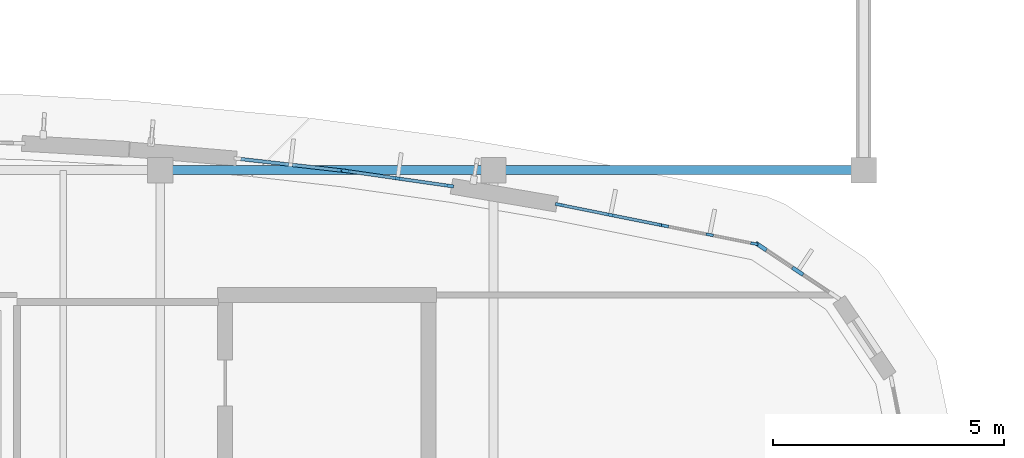
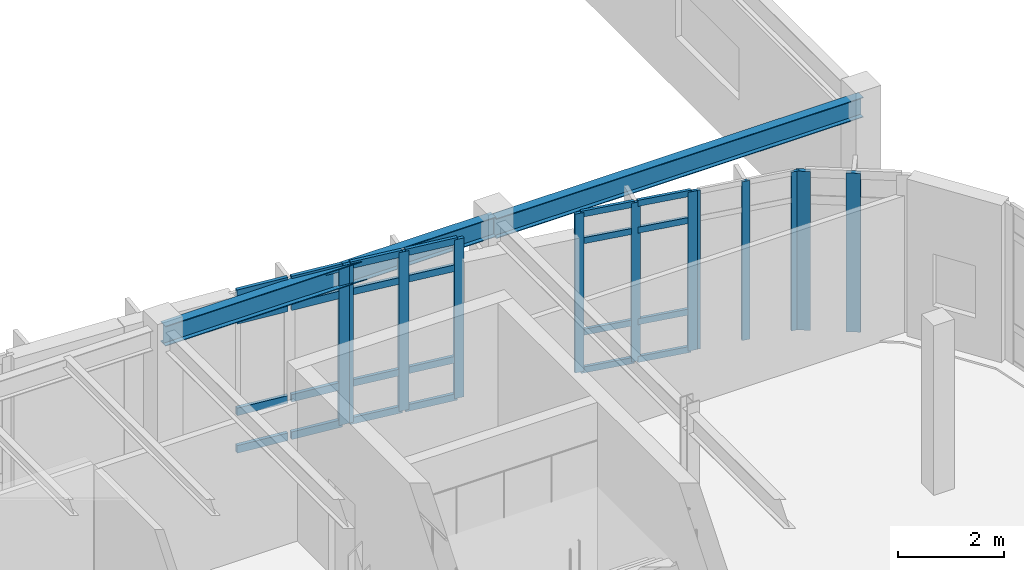
# One storey, part 41 of 111: 36 members, 2 beams, 5 elements without a shape of their own.
"""IFC4 building model written with IfcOpenShell, lengths in metres."""

from ifc_helpers import new_model, si_unit, direction, frame, origin, origin_2d, place, context, subcontext, project, spatial, rectangle, i_section, extrude, material, material_profile, profile_set, type_object, element, aggregate, save


model = new_model("IFC4")

# Units and contexts
model_context = context("Model", 3, precision=1e-05, world=origin(), true_north=direction((0.0, 1.0)))
body_context = subcontext(model_context, "Body", "Model", "MODEL_VIEW")
ifc_project = project(units=[si_unit("LENGTHUNIT", "METRE"), si_unit("AREAUNIT", "SQUARE_METRE"), si_unit("VOLUMEUNIT", "CUBIC_METRE"), si_unit("PLANEANGLEUNIT", "RADIAN"), si_unit("MASSUNIT", "GRAM", prefix="KILO")], contexts=[model_context])

# Site, building, storey
site_placement = place(None, origin())
site = spatial("IfcSite", under=ifc_project, at=site_placement, CompositionType="ELEMENT")
building_placement = place(site_placement, origin())
building = spatial("IfcBuilding", under=site, at=building_placement, Name="Corveleigh Park Community Centre", CompositionType="ELEMENT")
storey_placement = place(building_placement, frame((0.0, 0.0, 4.800048828125)))
storey = spatial("IfcBuildingStorey", under=building, at=storey_placement, Name="L01", CompositionType="ELEMENT", Elevation=4.800048828125)

# Beams
ifc_material_1 = material(Name="Steel S355", Category="steel")
ifc_material_profile_1 = material_profile(ifc_material_1, i_section(OverallWidth=0.19140625, OverallDepth=0.4599609375, WebThickness=0.010009765625, FlangeThickness=0.01611328125, at=origin_2d()), Name="UKB 457x191x82", Category="steel")
ifc_profile_set_1 = profile_set([ifc_material_profile_1], Name="Steel S355")
beam_type = type_object("IfcBeamType", Name="BM-STL-UKB457x82", PredefinedType="BEAM", material=ifc_profile_set_1)
beam_1_placement = place(storey_placement, frame((39.205078125, 92.800048828125, 3.427001953125), z_axis=(1.0, 0.0, 0.0), x_axis=(0.0, 1.0, 0.0)))
element("IfcBeam", 1, at=beam_1_placement, inside=storey, type_object=beam_type, Name="V2 Studio Girder X", PredefinedType="BEAM", context=body_context, shape_type="SweptSolid", body=[
    extrude(i_section(OverallWidth=0.19140625, OverallDepth=0.4599609375, WebThickness=0.010009765625, FlangeThickness=0.01611328125, at=origin_2d()), origin(), (0.0, 0.0, 1.0), 7.18994140625),
])
beam_2_placement = place(storey_placement, frame((46.405029296875, 92.800048828125, 3.3818359375), z_axis=(1.0, 0.0, 0.0), x_axis=(0.0, 1.0, 0.0)))
element("IfcBeam", 2, at=beam_2_placement, inside=storey, type_object=beam_type, Name="V2 Studio Girder X", PredefinedType="BEAM", context=body_context, shape_type="SweptSolid", body=[
    extrude(i_section(OverallWidth=0.19140625, OverallDepth=0.4599609375, WebThickness=0.010009765625, FlangeThickness=0.01611328125, at=origin_2d()), origin(), (0.0, 0.0, 1.0), 7.989990234375),
])

# Curtain wall, members
ifc_material_2 = material(Name="Anodised aluminium 6063-T6", Category="aluminium")
curtain_wall_type = type_object("IfcCurtainWallType", Name="CW-SYS-V2-HALL", PredefinedType="NOTDEFINED", material=ifc_material_2)
curtain_wall_1_placement = place(storey_placement, origin())
curtain_wall_1 = element("IfcCurtainWall", 3, at=curtain_wall_1_placement, inside=storey, type_object=curtain_wall_type, Name="V2 L01 Curtain Wall 211", PredefinedType="NOTDEFINED")
ifc_material_profile_2 = material_profile(ifc_material_2, rectangle(XDim=0.06005859375, YDim=0.159912109375, at=origin_2d()), Name="ALU-M60x160", Category="aluminium")
ifc_profile_set_2 = profile_set([ifc_material_profile_2], Name="Anodised aluminium 6063-T6")
member_type_1 = type_object("IfcMemberType", Name="CWM-60x160", PredefinedType="MULLION", material=ifc_profile_set_2)
member_1_placement = place(storey_placement, frame((50.107421875, 91.59326171875, 0.0), z_axis=(0.0, 0.0, 1.0), x_axis=(0.195262640231, 0.980750988442, 0.0)))
member_1 = element("IfcMember", 4, at=member_1_placement, type_object=member_type_1, Name="CW04 mullion 1", PredefinedType="MULLION", context=body_context, shape_type="SweptSolid", body=[
    extrude(rectangle(XDim=0.06005859375, YDim=0.159912109375, at=origin_2d()), origin(), (0.0, 0.0, 1.0), 3.656982421875),
])
member_2_placement = place(storey_placement, frame((51.072509765625, 91.40087890625, 0.0), z_axis=(0.0, 0.0, 1.0), x_axis=(0.195262640231, 0.980750988442, 0.0)))
member_2 = element("IfcMember", 5, at=member_2_placement, type_object=member_type_1, Name="CW04 mullion 2", PredefinedType="MULLION", context=body_context, shape_type="SweptSolid", body=[
    extrude(rectangle(XDim=0.06005859375, YDim=0.159912109375, at=origin_2d()), origin(), (0.0, 0.0, 1.0), 3.656982421875),
])
member_3_placement = place(storey_placement, frame((52.03759765625, 91.208740234375, 0.0), z_axis=(0.0, 0.0, 1.0), x_axis=(0.195262640231, 0.980750988442, 0.0)))
member_3 = element("IfcMember", 6, at=member_3_placement, type_object=member_type_1, Name="CW04 mullion 3", PredefinedType="MULLION", context=body_context, shape_type="SweptSolid", body=[
    extrude(rectangle(XDim=0.06005859375, YDim=0.159912109375, at=origin_2d()), origin(), (0.0, 0.0, 1.0), 3.656982421875),
])
aggregate(curtain_wall_1, [member_1, member_2, member_3])

curtain_wall_2_placement = place(storey_placement, origin())
curtain_wall_2 = element("IfcCurtainWall", 7, at=curtain_wall_2_placement, inside=storey, type_object=curtain_wall_type, Name="V2 L01 Curtain Wall 212", PredefinedType="NOTDEFINED")
ifc_material_profile_3 = material_profile(ifc_material_2, rectangle(XDim=0.06494140625, YDim=0.179931640625, at=origin_2d()), Name="ALU-M65x180", Category="aluminium")
ifc_profile_set_3 = profile_set([ifc_material_profile_3], Name="Anodised aluminium 6063-T6")
member_type_2 = type_object("IfcMemberType", Name="CWM-65x180", PredefinedType="MULLION", material=ifc_profile_set_3)
member_4_placement = place(storey_placement, frame((47.824951171875, 92.051513671875, 0.0), z_axis=(0.0, 0.0, 1.0), x_axis=(0.197111378544, 0.980381101638, 0.0)))
member_4 = element("IfcMember", 8, at=member_4_placement, type_object=member_type_2, Name="CW04 mullion 1", PredefinedType="MULLION", context=body_context, shape_type="SweptSolid", body=[
    extrude(rectangle(XDim=0.06494140625, YDim=0.179931640625, at=origin_2d()), origin(), (0.0, 0.0, 1.0), 3.656982421875),
])
member_5_placement = place(storey_placement, frame((48.929443359375, 91.82958984375, 0.0), z_axis=(0.0, 0.0, 1.0), x_axis=(0.197111378544, 0.980381101638, 0.0)))
member_5 = element("IfcMember", 9, at=member_5_placement, type_object=member_type_2, Name="CW04 mullion 2", PredefinedType="MULLION", context=body_context, shape_type="SweptSolid", body=[
    extrude(rectangle(XDim=0.06494140625, YDim=0.179931640625, at=origin_2d()), origin(), (0.0, 0.0, 1.0), 3.656982421875),
])
member_6_placement = place(storey_placement, frame((50.0341796875, 91.607421875, 0.0), z_axis=(0.0, 0.0, 1.0), x_axis=(0.197111378544, 0.980381101638, 0.0)))
member_6 = element("IfcMember", 10, at=member_6_placement, type_object=member_type_2, Name="CW04 mullion 3", PredefinedType="MULLION", context=body_context, shape_type="SweptSolid", body=[
    extrude(rectangle(XDim=0.06494140625, YDim=0.179931640625, at=origin_2d()), origin(), (0.0, 0.0, 1.0), 3.656982421875),
])

curtain_wall_3_placement = place(storey_placement, origin())
curtain_wall_3 = element("IfcCurtainWall", 11, at=curtain_wall_3_placement, inside=storey, type_object=curtain_wall_type, Name="V2 L01 Curtain Wall 213", PredefinedType="NOTDEFINED")
ifc_material_profile_4 = material_profile(ifc_material_2, rectangle(XDim=0.070068359375, YDim=0.199951171875, at=origin_2d()), Name="ALU-M70x200", Category="aluminium")
ifc_profile_set_4 = profile_set([ifc_material_profile_4], Name="Anodised aluminium 6063-T6")
member_type_3 = type_object("IfcMemberType", Name="CWM-70x200", PredefinedType="MULLION", material=ifc_profile_set_4)
member_7_placement = place(storey_placement, frame((43.217529296875, 92.778076171875, 0.0), z_axis=(0.0, 0.0, 1.0), x_axis=(0.141663216042, 0.989914912111, 0.0)))
member_7 = element("IfcMember", 12, at=member_7_placement, type_object=member_type_3, Name="CW04 mullion 1", PredefinedType="MULLION", context=body_context, shape_type="SweptSolid", body=[
    extrude(rectangle(XDim=0.070068359375, YDim=0.199951171875, at=origin_2d()), origin(), (0.0, 0.0, 1.0), 3.656982421875),
])
member_8_placement = place(storey_placement, frame((44.3291015625, 92.618896484375, 0.0), z_axis=(0.0, 0.0, 1.0), x_axis=(0.141663216042, 0.989914912111, 0.0)))
member_8 = element("IfcMember", 13, at=member_8_placement, type_object=member_type_3, Name="CW04 mullion 2", PredefinedType="MULLION", context=body_context, shape_type="SweptSolid", body=[
    extrude(rectangle(XDim=0.070068359375, YDim=0.199951171875, at=origin_2d()), origin(), (0.0, 0.0, 1.0), 3.656982421875),
])
member_9_placement = place(storey_placement, frame((45.4404296875, 92.4599609375, 0.0), z_axis=(0.0, 0.0, 1.0), x_axis=(0.141663216042, 0.989914912111, 0.0)))
member_9 = element("IfcMember", 14, at=member_9_placement, type_object=member_type_3, Name="CW04 mullion 3", PredefinedType="MULLION", context=body_context, shape_type="SweptSolid", body=[
    extrude(rectangle(XDim=0.070068359375, YDim=0.199951171875, at=origin_2d()), origin(), (0.0, 0.0, 1.0), 3.656982421875),
])

# Curtain wall, member
curtain_wall_4_placement = place(storey_placement, origin())
curtain_wall_4 = element("IfcCurtainWall", 15, at=curtain_wall_4_placement, inside=storey, type_object=curtain_wall_type, Name="V2 L01 Curtain Wall 214", PredefinedType="NOTDEFINED")
ifc_material_profile_5 = material_profile(ifc_material_2, rectangle(XDim=0.074951171875, YDim=0.219970703125, at=origin_2d()), Name="ALU-M75x220", Category="aluminium")
ifc_profile_set_5 = profile_set([ifc_material_profile_5], Name="Anodised aluminium 6063-T6")
member_type_4 = type_object("IfcMemberType", Name="CWM-75x220", PredefinedType="MULLION", material=ifc_profile_set_5)
member_10_placement = place(storey_placement, frame((43.127685546875, 92.789306640625, 0.0), z_axis=(0.0, 0.0, 1.0), x_axis=(0.113132523128, 0.99357990731, 0.0)))
member_10 = element("IfcMember", 16, at=member_10_placement, type_object=member_type_4, Name="CW04 mullion 3", PredefinedType="MULLION", context=body_context, shape_type="SweptSolid", body=[
    extrude(rectangle(XDim=0.074951171875, YDim=0.219970703125, at=origin_2d()), origin(), (0.0, 0.0, 1.0), 3.656982421875),
])

# Curtain wall, members
curtain_wall_5_placement = place(storey_placement, origin())
curtain_wall_5 = element("IfcCurtainWall", 17, at=curtain_wall_5_placement, inside=storey, type_object=curtain_wall_type, Name="V2 L01 Curtain Wall 210", PredefinedType="NOTDEFINED")
ifc_material_profile_6 = material_profile(ifc_material_2, rectangle(XDim=0.0849609375, YDim=0.27490234375, at=origin_2d()), Name="ALU-M85x275", Category="aluminium")
ifc_profile_set_6 = profile_set([ifc_material_profile_6], Name="Anodised aluminium 6063-T6")
member_type_5 = type_object("IfcMemberType", Name="CWM-85x275", PredefinedType="MULLION", material=ifc_profile_set_6)
member_11_placement = place(storey_placement, frame((52.183349609375, 91.1455078125, 0.0), z_axis=(0.0, 0.0, 1.0), x_axis=(0.555512027575, 0.831508500991, 0.0)))
member_11 = element("IfcMember", 18, at=member_11_placement, type_object=member_type_5, Name="CW04 mullion 1", PredefinedType="MULLION", context=body_context, shape_type="SweptSolid", body=[
    extrude(rectangle(XDim=0.0849609375, YDim=0.27490234375, at=origin_2d()), origin(), (0.0, 0.0, 1.0), 3.656982421875),
])
member_12_placement = place(storey_placement, frame((52.97509765625, 90.616455078125, 0.0), z_axis=(0.0, 0.0, 1.0), x_axis=(0.555512027575, 0.831508500991, 0.0)))
member_12 = element("IfcMember", 19, at=member_12_placement, type_object=member_type_5, Name="CW04 mullion 2", PredefinedType="MULLION", context=body_context, shape_type="SweptSolid", body=[
    extrude(rectangle(XDim=0.0849609375, YDim=0.27490234375, at=origin_2d()), origin(), (0.0, 0.0, 1.0), 3.656982421875),
])
aggregate(curtain_wall_5, [member_11, member_12])

# Member
ifc_material_profile_7 = material_profile(ifc_material_2, rectangle(XDim=0.06494140625, YDim=0.139892578125, at=origin_2d()), Name="ALU-T65x140", Category="aluminium")
ifc_profile_set_7 = profile_set([ifc_material_profile_7], Name="Anodised aluminium 6063-T6")
member_type_6 = type_object("IfcMemberType", Name="CWT-65x140", PredefinedType="USERDEFINED", material=ifc_profile_set_7)
member_13_placement = place(storey_placement, frame((47.856689453125, 92.045166015625, 0.032470703125), z_axis=(0.980394528483, -0.19704458511, 0.0), x_axis=(0.19704458511, 0.980394528483, 0.0)))
member_13 = element("IfcMember", 20, at=member_13_placement, type_object=member_type_6, Name="CW04 transom 1.1", ObjectType="TRANSOM", PredefinedType="USERDEFINED", context=body_context, shape_type="SweptSolid", body=[
    extrude(rectangle(XDim=0.06494140625, YDim=0.139892578125, at=origin_2d()), origin(), (0.0, 0.0, 1.0), 1.061767578125),
])

member_14_placement = place(storey_placement, frame((47.856689453125, 92.045166015625, 0.89990234375), z_axis=(0.980394528483, -0.19704458511, 0.0), x_axis=(0.19704458511, 0.980394528483, 0.0)))
member_14 = element("IfcMember", 21, at=member_14_placement, type_object=member_type_6, Name="CW04 transom 1.2", ObjectType="TRANSOM", PredefinedType="USERDEFINED", context=body_context, shape_type="SweptSolid", body=[
    extrude(rectangle(XDim=0.06494140625, YDim=0.139892578125, at=origin_2d()), origin(), (0.0, 0.0, 1.0), 1.061767578125),
])

member_15_placement = place(storey_placement, frame((47.856689453125, 92.045166015625, 3.0068359375), z_axis=(0.980394528483, -0.19704458511, 0.0), x_axis=(0.19704458511, 0.980394528483, 0.0)))
member_15 = element("IfcMember", 22, at=member_15_placement, type_object=member_type_6, Name="CW04 transom 1.3", ObjectType="TRANSOM", PredefinedType="USERDEFINED", context=body_context, shape_type="SweptSolid", body=[
    extrude(rectangle(XDim=0.06494140625, YDim=0.139892578125, at=origin_2d()), origin(), (0.0, 0.0, 1.0), 1.061767578125),
])

member_16_placement = place(storey_placement, frame((47.856689453125, 92.045166015625, 3.62451171875), z_axis=(0.980394528483, -0.19704458511, 0.0), x_axis=(0.19704458511, 0.980394528483, 0.0)))
member_16 = element("IfcMember", 23, at=member_16_placement, type_object=member_type_6, Name="CW04 transom 1.4", ObjectType="TRANSOM", PredefinedType="USERDEFINED", context=body_context, shape_type="SweptSolid", body=[
    extrude(rectangle(XDim=0.06494140625, YDim=0.139892578125, at=origin_2d()), origin(), (0.0, 0.0, 1.0), 1.061767578125),
])

member_17_placement = place(storey_placement, frame((48.96142578125, 91.822998046875, 0.032470703125), z_axis=(0.980385598316, -0.197089011906, 0.0), x_axis=(0.197089011906, 0.980385598316, 0.0)))
member_17 = element("IfcMember", 24, at=member_17_placement, type_object=member_type_6, Name="CW04 transom 2.1", ObjectType="TRANSOM", PredefinedType="USERDEFINED", context=body_context, shape_type="SweptSolid", body=[
    extrude(rectangle(XDim=0.06494140625, YDim=0.139892578125, at=origin_2d()), origin(), (0.0, 0.0, 1.0), 1.0615234375),
])

member_18_placement = place(storey_placement, frame((48.96142578125, 91.822998046875, 0.89990234375), z_axis=(0.980385598316, -0.197089011906, 0.0), x_axis=(0.197089011906, 0.980385598316, 0.0)))
member_18 = element("IfcMember", 25, at=member_18_placement, type_object=member_type_6, Name="CW04 transom 2.2", ObjectType="TRANSOM", PredefinedType="USERDEFINED", context=body_context, shape_type="SweptSolid", body=[
    extrude(rectangle(XDim=0.06494140625, YDim=0.139892578125, at=origin_2d()), origin(), (0.0, 0.0, 1.0), 1.0615234375),
])

member_19_placement = place(storey_placement, frame((48.96142578125, 91.822998046875, 3.0068359375), z_axis=(0.980385598316, -0.197089011906, 0.0), x_axis=(0.197089011906, 0.980385598316, 0.0)))
member_19 = element("IfcMember", 26, at=member_19_placement, type_object=member_type_6, Name="CW04 transom 2.3", ObjectType="TRANSOM", PredefinedType="USERDEFINED", context=body_context, shape_type="SweptSolid", body=[
    extrude(rectangle(XDim=0.06494140625, YDim=0.139892578125, at=origin_2d()), origin(), (0.0, 0.0, 1.0), 1.0615234375),
])

member_20_placement = place(storey_placement, frame((48.96142578125, 91.822998046875, 3.62451171875), z_axis=(0.980385598316, -0.197089011906, 0.0), x_axis=(0.197089011906, 0.980385598316, 0.0)))
member_20 = element("IfcMember", 27, at=member_20_placement, type_object=member_type_6, Name="CW04 transom 2.4", ObjectType="TRANSOM", PredefinedType="USERDEFINED", context=body_context, shape_type="SweptSolid", body=[
    extrude(rectangle(XDim=0.06494140625, YDim=0.139892578125, at=origin_2d()), origin(), (0.0, 0.0, 1.0), 1.0615234375),
])

aggregate(curtain_wall_2, [member_4, member_5, member_6, member_13, member_14, member_15, member_16, member_17, member_18, member_19, member_20])

ifc_material_profile_8 = material_profile(ifc_material_2, rectangle(XDim=0.070068359375, YDim=0.155029296875, at=origin_2d()), Name="ALU-T70x155", Category="aluminium")
ifc_profile_set_8 = profile_set([ifc_material_profile_8], Name="Anodised aluminium 6063-T6")
member_type_7 = type_object("IfcMemberType", Name="CWT-70x155", PredefinedType="USERDEFINED", material=ifc_profile_set_8)
member_21_placement = place(storey_placement, frame((43.252197265625, 92.773193359375, 0.034912109375), z_axis=(0.989912358171, -0.141681061336, 0.0), x_axis=(0.141681061336, 0.989912358171, 0.0)))
member_21 = element("IfcMember", 28, at=member_21_placement, type_object=member_type_7, Name="CW04 transom 1.1", ObjectType="TRANSOM", PredefinedType="USERDEFINED", context=body_context, shape_type="SweptSolid", body=[
    extrude(rectangle(XDim=0.070068359375, YDim=0.155029296875, at=origin_2d()), origin(), (0.0, 0.0, 1.0), 1.052978515625),
])

member_22_placement = place(storey_placement, frame((43.252197265625, 92.773193359375, 0.89990234375), z_axis=(0.989912358171, -0.141681061336, 0.0), x_axis=(0.141681061336, 0.989912358171, 0.0)))
member_22 = element("IfcMember", 29, at=member_22_placement, type_object=member_type_7, Name="CW04 transom 1.2", ObjectType="TRANSOM", PredefinedType="USERDEFINED", context=body_context, shape_type="SweptSolid", body=[
    extrude(rectangle(XDim=0.070068359375, YDim=0.155029296875, at=origin_2d()), origin(), (0.0, 0.0, 1.0), 1.052978515625),
])

member_23_placement = place(storey_placement, frame((43.252197265625, 92.773193359375, 3.0068359375), z_axis=(0.989912358171, -0.141681061336, 0.0), x_axis=(0.141681061336, 0.989912358171, 0.0)))
member_23 = element("IfcMember", 30, at=member_23_placement, type_object=member_type_7, Name="CW04 transom 1.3", ObjectType="TRANSOM", PredefinedType="USERDEFINED", context=body_context, shape_type="SweptSolid", body=[
    extrude(rectangle(XDim=0.070068359375, YDim=0.155029296875, at=origin_2d()), origin(), (0.0, 0.0, 1.0), 1.052978515625),
])

member_24_placement = place(storey_placement, frame((43.252197265625, 92.773193359375, 3.6220703125), z_axis=(0.989912358171, -0.141681061336, 0.0), x_axis=(0.141681061336, 0.989912358171, 0.0)))
member_24 = element("IfcMember", 31, at=member_24_placement, type_object=member_type_7, Name="CW04 transom 1.4", ObjectType="TRANSOM", PredefinedType="USERDEFINED", context=body_context, shape_type="SweptSolid", body=[
    extrude(rectangle(XDim=0.070068359375, YDim=0.155029296875, at=origin_2d()), origin(), (0.0, 0.0, 1.0), 1.052978515625),
])

member_25_placement = place(storey_placement, frame((44.363525390625, 92.614013671875, 0.034912109375), z_axis=(0.989912358171, -0.141681061336, 0.0), x_axis=(0.141681061336, 0.989912358171, 0.0)))
member_25 = element("IfcMember", 32, at=member_25_placement, type_object=member_type_7, Name="CW04 transom 2.1", ObjectType="TRANSOM", PredefinedType="USERDEFINED", context=body_context, shape_type="SweptSolid", body=[
    extrude(rectangle(XDim=0.070068359375, YDim=0.155029296875, at=origin_2d()), origin(), (0.0, 0.0, 1.0), 1.052978515625),
])

member_26_placement = place(storey_placement, frame((44.363525390625, 92.614013671875, 0.89990234375), z_axis=(0.989912358171, -0.141681061336, 0.0), x_axis=(0.141681061336, 0.989912358171, 0.0)))
member_26 = element("IfcMember", 33, at=member_26_placement, type_object=member_type_7, Name="CW04 transom 2.2", ObjectType="TRANSOM", PredefinedType="USERDEFINED", context=body_context, shape_type="SweptSolid", body=[
    extrude(rectangle(XDim=0.070068359375, YDim=0.155029296875, at=origin_2d()), origin(), (0.0, 0.0, 1.0), 1.052978515625),
])

member_27_placement = place(storey_placement, frame((44.363525390625, 92.614013671875, 3.0068359375), z_axis=(0.989912358171, -0.141681061336, 0.0), x_axis=(0.141681061336, 0.989912358171, 0.0)))
member_27 = element("IfcMember", 34, at=member_27_placement, type_object=member_type_7, Name="CW04 transom 2.3", ObjectType="TRANSOM", PredefinedType="USERDEFINED", context=body_context, shape_type="SweptSolid", body=[
    extrude(rectangle(XDim=0.070068359375, YDim=0.155029296875, at=origin_2d()), origin(), (0.0, 0.0, 1.0), 1.052978515625),
])

member_28_placement = place(storey_placement, frame((44.363525390625, 92.614013671875, 3.6220703125), z_axis=(0.989912358171, -0.141681061336, 0.0), x_axis=(0.141681061336, 0.989912358171, 0.0)))
member_28 = element("IfcMember", 35, at=member_28_placement, type_object=member_type_7, Name="CW04 transom 2.4", ObjectType="TRANSOM", PredefinedType="USERDEFINED", context=body_context, shape_type="SweptSolid", body=[
    extrude(rectangle(XDim=0.070068359375, YDim=0.155029296875, at=origin_2d()), origin(), (0.0, 0.0, 1.0), 1.052978515625),
])

aggregate(curtain_wall_3, [member_7, member_8, member_9, member_21, member_22, member_23, member_24, member_25, member_26, member_27, member_28])

ifc_material_profile_9 = material_profile(ifc_material_2, rectangle(XDim=0.074951171875, YDim=0.175048828125, at=origin_2d()), Name="ALU-T75x175", Category="aluminium")
ifc_profile_set_9 = profile_set([ifc_material_profile_9], Name="Anodised aluminium 6063-T6")
member_type_8 = type_object("IfcMemberType", Name="CWT-75x175", PredefinedType="USERDEFINED", material=ifc_profile_set_9)
member_29_placement = place(storey_placement, frame((40.9384765625, 93.03857421875, 0.037353515625), z_axis=(0.993566497125, -0.113250235277, 0.0), x_axis=(0.113250235277, 0.993566497125, 0.0)))
member_29 = element("IfcMember", 36, at=member_29_placement, type_object=member_type_8, Name="CW04 transom 1.1", ObjectType="TRANSOM", PredefinedType="USERDEFINED", context=body_context, shape_type="SweptSolid", body=[
    extrude(rectangle(XDim=0.074951171875, YDim=0.175048828125, at=origin_2d()), origin(), (0.0, 0.0, 1.0), 1.045654296875),
])

member_30_placement = place(storey_placement, frame((40.9384765625, 93.03857421875, 0.89990234375), z_axis=(0.993566497125, -0.113250235277, 0.0), x_axis=(0.113250235277, 0.993566497125, 0.0)))
member_30 = element("IfcMember", 37, at=member_30_placement, type_object=member_type_8, Name="CW04 transom 1.2", ObjectType="TRANSOM", PredefinedType="USERDEFINED", context=body_context, shape_type="SweptSolid", body=[
    extrude(rectangle(XDim=0.074951171875, YDim=0.175048828125, at=origin_2d()), origin(), (0.0, 0.0, 1.0), 1.045654296875),
])

member_31_placement = place(storey_placement, frame((40.9384765625, 93.03857421875, 3.0068359375), z_axis=(0.993566497125, -0.113250235277, 0.0), x_axis=(0.113250235277, 0.993566497125, 0.0)))
member_31 = element("IfcMember", 38, at=member_31_placement, type_object=member_type_8, Name="CW04 transom 1.3", ObjectType="TRANSOM", PredefinedType="USERDEFINED", context=body_context, shape_type="SweptSolid", body=[
    extrude(rectangle(XDim=0.074951171875, YDim=0.175048828125, at=origin_2d()), origin(), (0.0, 0.0, 1.0), 1.045654296875),
])

member_32_placement = place(storey_placement, frame((40.9384765625, 93.03857421875, 3.619384765625), z_axis=(0.993566497125, -0.113250235277, 0.0), x_axis=(0.113250235277, 0.993566497125, 0.0)))
member_32 = element("IfcMember", 39, at=member_32_placement, type_object=member_type_8, Name="CW04 transom 1.4", ObjectType="TRANSOM", PredefinedType="USERDEFINED", context=body_context, shape_type="SweptSolid", body=[
    extrude(rectangle(XDim=0.074951171875, YDim=0.175048828125, at=origin_2d()), origin(), (0.0, 0.0, 1.0), 1.045654296875),
])

member_33_placement = place(storey_placement, frame((42.0517578125, 92.911865234375, 0.037353515625), z_axis=(0.993566497125, -0.113250235277, 0.0), x_axis=(0.113250235277, 0.993566497125, 0.0)))
member_33 = element("IfcMember", 40, at=member_33_placement, type_object=member_type_8, Name="CW04 transom 2.1", ObjectType="TRANSOM", PredefinedType="USERDEFINED", context=body_context, shape_type="SweptSolid", body=[
    extrude(rectangle(XDim=0.074951171875, YDim=0.175048828125, at=origin_2d()), origin(), (0.0, 0.0, 1.0), 1.045654296875),
])

member_34_placement = place(storey_placement, frame((42.0517578125, 92.911865234375, 0.89990234375), z_axis=(0.993566497125, -0.113250235277, 0.0), x_axis=(0.113250235277, 0.993566497125, 0.0)))
member_34 = element("IfcMember", 41, at=member_34_placement, type_object=member_type_8, Name="CW04 transom 2.2", ObjectType="TRANSOM", PredefinedType="USERDEFINED", context=body_context, shape_type="SweptSolid", body=[
    extrude(rectangle(XDim=0.074951171875, YDim=0.175048828125, at=origin_2d()), origin(), (0.0, 0.0, 1.0), 1.045654296875),
])

member_35_placement = place(storey_placement, frame((42.0517578125, 92.911865234375, 3.0068359375), z_axis=(0.993566497125, -0.113250235277, 0.0), x_axis=(0.113250235277, 0.993566497125, 0.0)))
member_35 = element("IfcMember", 42, at=member_35_placement, type_object=member_type_8, Name="CW04 transom 2.3", ObjectType="TRANSOM", PredefinedType="USERDEFINED", context=body_context, shape_type="SweptSolid", body=[
    extrude(rectangle(XDim=0.074951171875, YDim=0.175048828125, at=origin_2d()), origin(), (0.0, 0.0, 1.0), 1.045654296875),
])

member_36_placement = place(storey_placement, frame((42.0517578125, 92.911865234375, 3.619384765625), z_axis=(0.993566497125, -0.113250235277, 0.0), x_axis=(0.113250235277, 0.993566497125, 0.0)))
member_36 = element("IfcMember", 43, at=member_36_placement, type_object=member_type_8, Name="CW04 transom 2.4", ObjectType="TRANSOM", PredefinedType="USERDEFINED", context=body_context, shape_type="SweptSolid", body=[
    extrude(rectangle(XDim=0.074951171875, YDim=0.175048828125, at=origin_2d()), origin(), (0.0, 0.0, 1.0), 1.045654296875),
])

aggregate(curtain_wall_4, [member_10, member_29, member_30, member_31, member_32, member_33, member_34, member_35, member_36])

save(model, "model.ifc")
